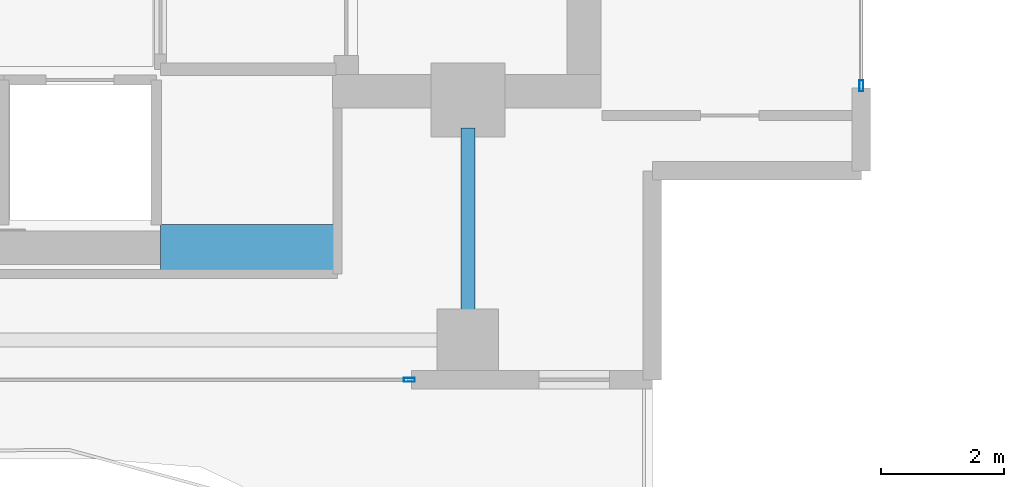
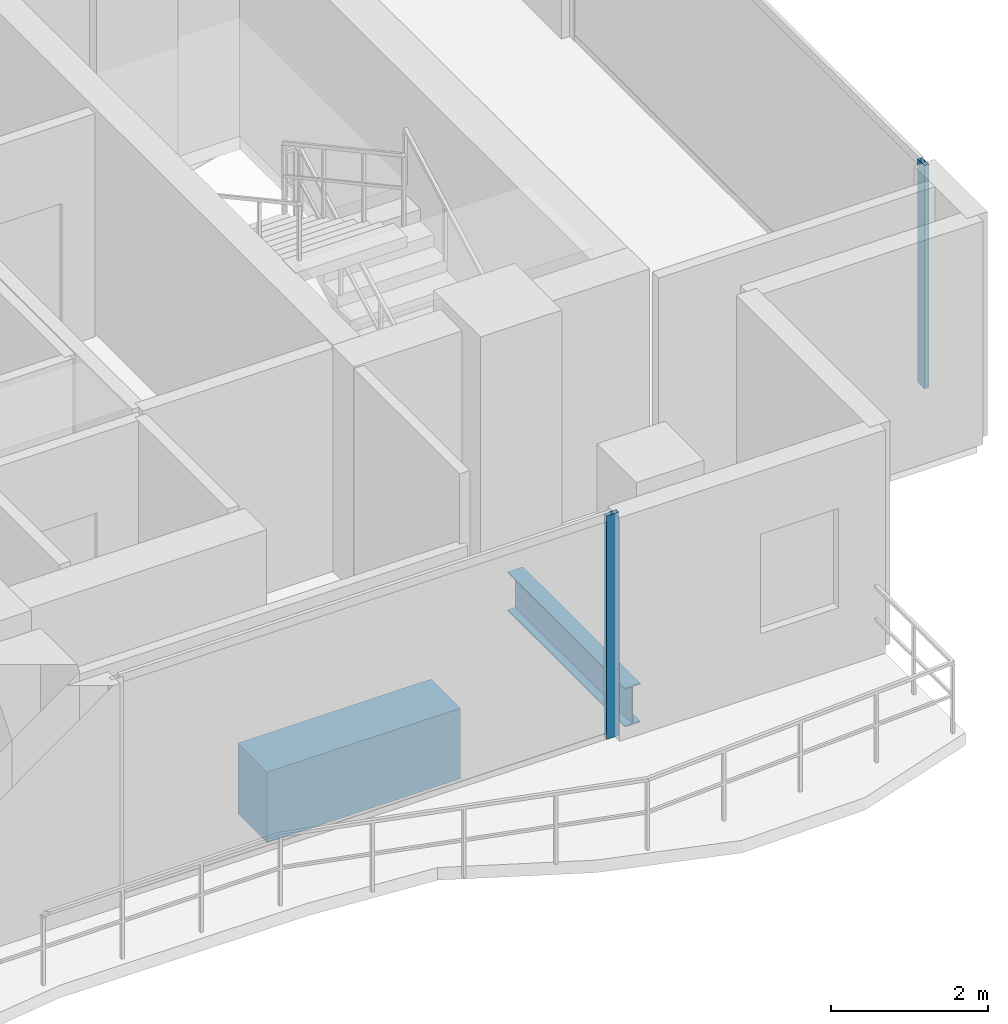
# One storey, part 8 of 25: 2 beams, 2 members, 2 elements without a shape of their own.
"""IFC4 building model written with IfcOpenShell, lengths in metres."""

from ifc_helpers import new_model, si_unit, direction, frame, origin, origin_2d, place, context, subcontext, project, spatial, rectangle, hollow_rectangle, i_section, extrude, material, layer, layer_set, material_profile, profile_set, type_object, element, aggregate, save


model = new_model("IFC4")

# Units and contexts
model_context = context("Model", 3, precision=1e-05, world=origin(), true_north=direction((0.0, 1.0)))
body_context = subcontext(model_context, "Body", "Model", "MODEL_VIEW")
ifc_project = project(units=[si_unit("LENGTHUNIT", "METRE"), si_unit("AREAUNIT", "SQUARE_METRE"), si_unit("VOLUMEUNIT", "CUBIC_METRE"), si_unit("PLANEANGLEUNIT", "RADIAN"), si_unit("MASSUNIT", "GRAM", prefix="KILO")], contexts=[model_context])

# Site, building, storey
site_placement = place(None, origin())
site = spatial("IfcSite", under=ifc_project, at=site_placement, CompositionType="ELEMENT")
building_placement = place(site_placement, origin())
building = spatial("IfcBuilding", under=site, at=building_placement, Name="Zuhayl Quay Hotel", CompositionType="ELEMENT")
storey_placement = place(building_placement, frame((0.0, 0.0, 243.35009765625)))
storey = spatial("IfcBuildingStorey", under=building, at=storey_placement, Name="L61", CompositionType="ELEMENT", Elevation=243.35009765625)

# Beams
ifc_material_1 = material(Name="Steel ASTM A992 Grade 50", Category="steel")
ifc_material_profile_1 = material_profile(ifc_material_1, i_section(OverallWidth=0.22802734375, OverallDepth=0.60693359375, WebThickness=0.01123046875, FlangeThickness=0.017333984375, at=origin_2d()), Name="W24X76")
ifc_profile_set_1 = profile_set([ifc_material_profile_1], Name="Steel ASTM A992 Grade 50")
beam_type_1 = type_object("IfcBeamType", Name="BM_B3_W24X76", PredefinedType="BEAM", material=ifc_profile_set_1)
beam_1_placement = place(storey_placement, frame((13.800048828125, 1.110107421875, -0.523681640625), z_axis=(0.0, 1.0, 0.0), x_axis=(-1.0, 0.0, 0.0)))
element("IfcBeam", 1, at=beam_1_placement, inside=storey, type_object=beam_type_1, Name="L61 Floor Beam FG_S_L61_4", PredefinedType="BEAM", context=body_context, shape_type="SweptSolid", body=[
    extrude(i_section(OverallWidth=0.22802734375, OverallDepth=0.60693359375, WebThickness=0.01123046875, FlangeThickness=0.017333984375, at=origin_2d()), origin(), (0.0, 0.0, 1.0), 2.989990234375),
])
ifc_material_2 = material(Name="Concrete C60/75", Category="concrete")
ifc_material_profile_2 = material_profile(ifc_material_2, rectangle(XDim=0.75, YDim=1.10009765625, at=origin_2d()), Name="RC750X1100")
ifc_profile_set_2 = profile_set([ifc_material_profile_2], Name="Concrete C60/75")
beam_type_2 = type_object("IfcBeamType", Name="BM_CB2_RC750", PredefinedType="T_BEAM", material=ifc_profile_set_2)
beam_2_placement = place(storey_placement, frame((8.800048828125, 2.14990234375, -0.77001953125), z_axis=(1.0, 0.0, 0.0), x_axis=(0.0, 1.0, 0.0)))
element("IfcBeam", 2, at=beam_2_placement, inside=storey, type_object=beam_type_2, Name="L61 Core Coupling Beam SE", PredefinedType="T_BEAM", context=body_context, shape_type="SweptSolid", body=[
    extrude(rectangle(XDim=0.75, YDim=1.10009765625, at=origin_2d()), origin(), (0.0, 0.0, 1.0), 2.849853515625),
])

# Curtain wall, member
ifc_material_3 = material(Name="Anodised Aluminium 6063-T6", Category="aluminium")
ifc_layer = layer(ifc_material_3, 0.169921875, Name="Anodised Aluminium 6063-T6", Category="aluminium")
ifc_layer_set = layer_set([ifc_layer], Name="Anodised Aluminium 6063-T6")
curtain_wall_type = type_object("IfcCurtainWallType", Name="CW_SYS_Z4", PredefinedType="USERDEFINED", material=ifc_layer_set)
curtain_wall_1_placement = place(storey_placement, origin())
curtain_wall_1 = element("IfcCurtainWall", 3, at=curtain_wall_1_placement, inside=storey, type_object=curtain_wall_type, Name="L61 Curtain Wall ENV_L61_E14_CW1", ObjectType="UNITISED CURTAIN WALL", PredefinedType="USERDEFINED")
ifc_material_4 = material(Name="Black-anodised aluminium 6063-T6", Category="aluminium")
ifc_material_profile_3 = material_profile(ifc_material_4, hollow_rectangle(XDim=0.06494140625, YDim=0.179931640625, WallThickness=0.00341796875, at=origin_2d()), Name="ALU180X65")
ifc_profile_set_3 = profile_set([ifc_material_profile_3], Name="Black-anodised aluminium 6063-T6")
member_type = type_object("IfcMemberType", Name="MB_CW_MUL_180", PredefinedType="MULLION", material=ifc_profile_set_3)
member_1_placement = place(storey_placement, frame((20.199951171875, 4.782470703125, 0.0), z_axis=(0.0, 0.0, 1.0), x_axis=(1.0, 0.0, 0.0)))
member_1 = element("IfcMember", 4, at=member_1_placement, type_object=member_type, Name="CW-Z4 mullion 2", PredefinedType="MULLION", context=body_context, shape_type="SweptSolid", body=[
    extrude(hollow_rectangle(XDim=0.06494140625, YDim=0.179931640625, WallThickness=0.00341796875, at=origin_2d()), origin(), (0.0, 0.0, 1.0), 3.47998046875),
])
aggregate(curtain_wall_1, [member_1])

curtain_wall_2_placement = place(storey_placement, origin())
curtain_wall_2 = element("IfcCurtainWall", 5, at=curtain_wall_2_placement, inside=storey, type_object=curtain_wall_type, Name="L61 Curtain Wall ENV_L61_S_CW1", ObjectType="UNITISED CURTAIN WALL", PredefinedType="USERDEFINED")
member_2_placement = place(storey_placement, frame((12.847412109375, 0.0, 0.0), z_axis=(0.0, 0.0, 1.0), x_axis=(0.0, -1.0, 0.0)))
member_2 = element("IfcMember", 6, at=member_2_placement, type_object=member_type, Name="CW-Z4 mullion 1", PredefinedType="MULLION", context=body_context, shape_type="SweptSolid", body=[
    extrude(hollow_rectangle(XDim=0.06494140625, YDim=0.179931640625, WallThickness=0.00341796875, at=origin_2d()), origin(), (0.0, 0.0, 1.0), 3.47998046875),
])
aggregate(curtain_wall_2, [member_2])

save(model, "model.ifc")
